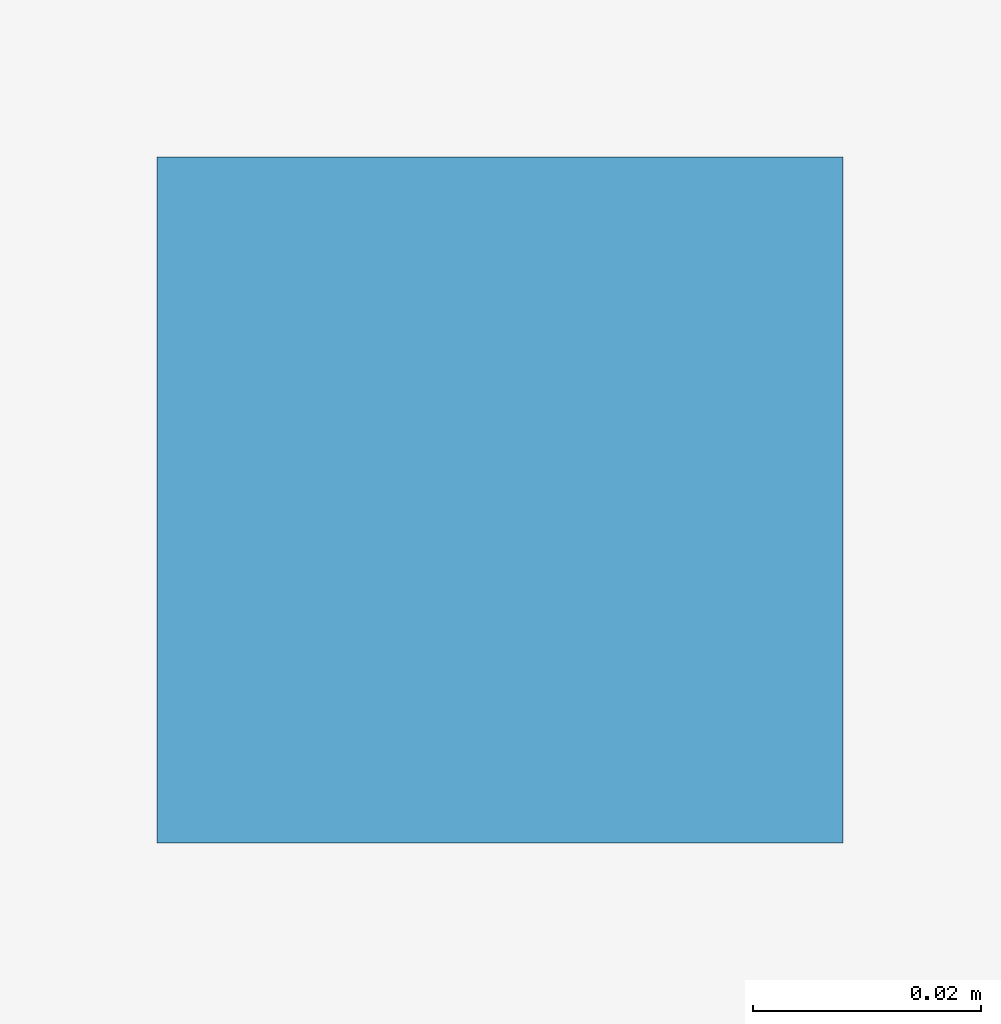
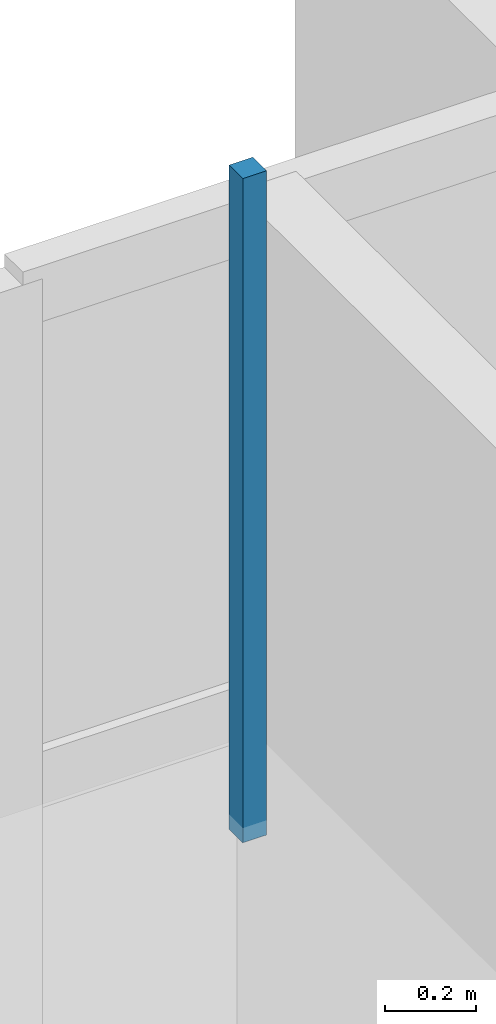
# One storey, part 93 of 111: 1 discrete accessory.
"""IFC4 building model written with IfcOpenShell, lengths in metres."""

from ifc_helpers import new_model, si_unit, direction, frame, origin, place, context, subcontext, project, spatial, polyline, outline, extrude, material, type_object, element, save


model = new_model("IFC4")

# Units and contexts
model_context = context("Model", 3, precision=1e-05, world=origin(), true_north=direction((0.0, 1.0)))
body_context = subcontext(model_context, "Body", "Model", "MODEL_VIEW")
ifc_project = project(units=[si_unit("LENGTHUNIT", "METRE"), si_unit("AREAUNIT", "SQUARE_METRE"), si_unit("VOLUMEUNIT", "CUBIC_METRE"), si_unit("PLANEANGLEUNIT", "RADIAN"), si_unit("MASSUNIT", "GRAM", prefix="KILO")], contexts=[model_context])

# Site, building, storey
site_placement = place(None, origin())
site = spatial("IfcSite", under=ifc_project, at=site_placement, CompositionType="ELEMENT")
building_placement = place(site_placement, origin())
building = spatial("IfcBuilding", under=site, at=building_placement, Name="Dunescarp Central Library", CompositionType="ELEMENT")
storey_placement = place(building_placement, origin())
storey = spatial("IfcBuildingStorey", under=building, at=storey_placement, Name="L00", CompositionType="ELEMENT", Elevation=0.0)

# Discrete accessory
ifc_material = material(Name="Stainless steel Grade 316L", Category="steel")
discrete_accessory_type = type_object("IfcDiscreteAccessoryType", Name="ARC-ACC-BRK", PredefinedType="BRACKET", material=ifc_material)
discrete_accessory_placement = place(storey_placement, frame((0.0, 0.0, 3.06005859375)))
element("IfcDiscreteAccessory", 1, at=discrete_accessory_placement, inside=storey, type_object=discrete_accessory_type, Name="L00 ceiling hanger CLG-L00-142-H2", PredefinedType="BRACKET", context=body_context, shape_type="SweptSolid", body=[
    extrude(outline(polyline([(145.919921875, 44.3798828125), (145.97998046875, 44.3798828125), (145.97998046875, 44.43994140625), (145.919921875, 44.43994140625), (145.919921875, 44.3798828125)])), origin(), (0.0, 0.0, 1.0), 1.780029296875),
])

save(model, "model.ifc")
